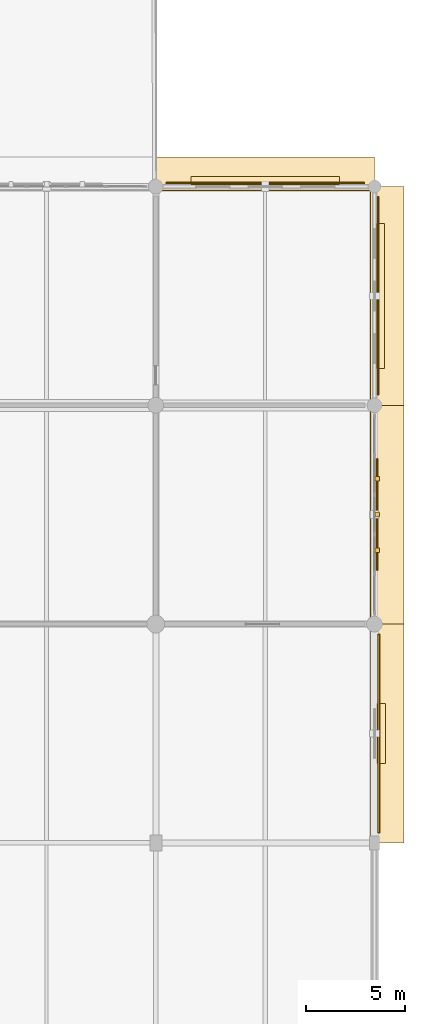
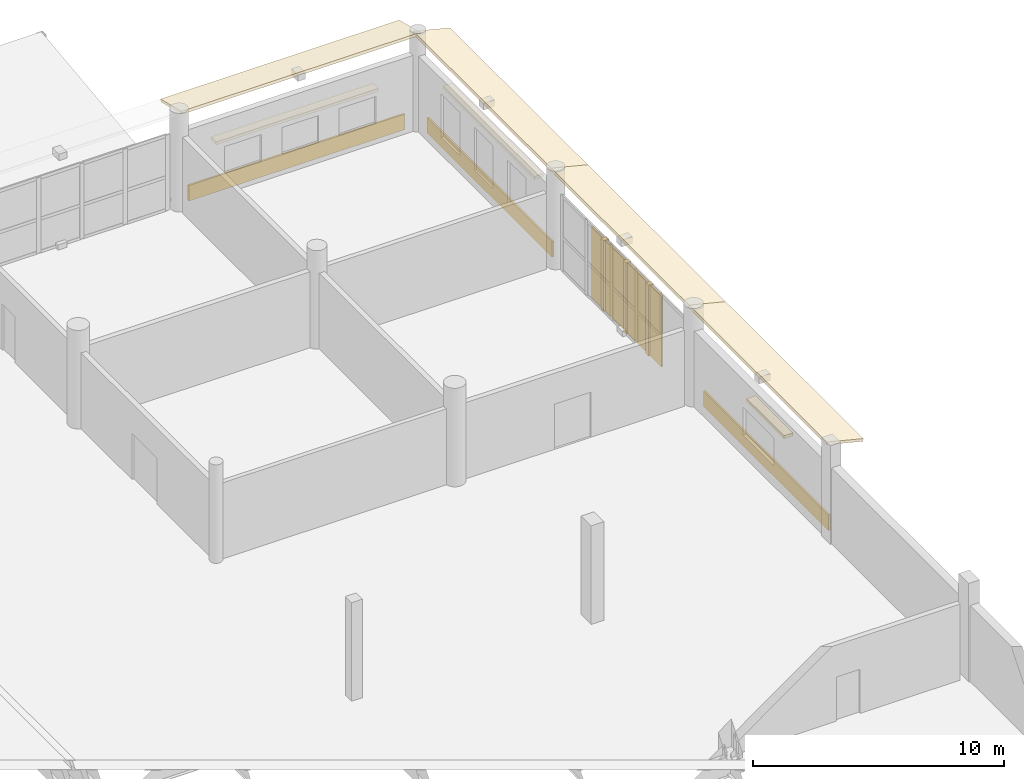
# One storey, part 143 of 143: 13 coverings, 1 shading device.
"""IFC4 building model written with IfcOpenShell, lengths in metres."""

from ifc_helpers import new_model, si_unit, direction, frame, origin, origin_2d, place, context, subcontext, project, spatial, polyline, rectangle, outline, extrude, material, layer, layer_set, type_object, element, save


model = new_model("IFC4")

# Units and contexts
model_context = context("Model", 3, precision=1e-05, world=origin(), true_north=direction((0.0, 1.0)))
body_context = subcontext(model_context, "Body", "Model", "MODEL_VIEW")
ifc_project = project(units=[si_unit("LENGTHUNIT", "METRE"), si_unit("AREAUNIT", "SQUARE_METRE"), si_unit("VOLUMEUNIT", "CUBIC_METRE"), si_unit("PLANEANGLEUNIT", "RADIAN"), si_unit("MASSUNIT", "GRAM", prefix="KILO")], contexts=[model_context])

# Site, building, storey
site_placement = place(None, origin())
site = spatial("IfcSite", under=ifc_project, at=site_placement, CompositionType="ELEMENT")
building_placement = place(site_placement, origin())
building = spatial("IfcBuilding", under=site, at=building_placement, Name="Luwafu Chhajja Arena", CompositionType="ELEMENT")
storey_placement = place(building_placement, frame((0.0, 0.0, 5.39990234375)))
storey = spatial("IfcBuildingStorey", under=building, at=storey_placement, Name="L01", CompositionType="ELEMENT", Elevation=5.39990234375)

# Coverings
ifc_material_1 = material(Name="Red laterite sandstone cladding", Category="masonry")
ifc_layer_1 = layer(ifc_material_1, 0.074951171875, Name="Red laterite sandstone cladding")
ifc_layer_set_1 = layer_set([ifc_layer_1], Name="Red laterite sandstone cladding")
covering_type = type_object("IfcCoveringType", Name="Dressed Red-Laterite Sandstone Cladding", PredefinedType="CLADDING", material=ifc_layer_set_1)
covering_1_placement = place(storey_placement, frame((197.800048828125, 88.0, 4.760009765625), z_axis=(0.242502450825, 0.0, 0.970150793096), x_axis=(0.0, 1.0, 0.0)))
element("IfcCovering", 1, at=covering_1_placement, inside=storey, type_object=covering_type, Name="L01 Continuous Sloped Sandstone Chhajja Eave 0119", PredefinedType="CLADDING", context=body_context, shape_type="SweptSolid", body=[
    extrude(outline(polyline([(0.0, 0.0), (11.0, 0.0), (11.0, -1.731619097341133), (0.0, -1.731619097341133), (0.0, 0.0)])), origin(), (0.0, 0.0, -1.0), 0.1298828125),
])
covering_2_placement = place(storey_placement, frame((198.2119140625, 93.5, 0.0), z_axis=(0.0, 0.0, 1.0), x_axis=(0.0, 1.0, 0.0)))
element("IfcCovering", 2, at=covering_2_placement, inside=storey, type_object=covering_type, Name="L01 Red-Laterite Sandstone Plinth Cladding 036", PredefinedType="CLADDING", context=body_context, shape_type="SweptSolid", body=[
    extrude(rectangle(XDim=9.9599609375, YDim=0.0849609375, at=origin_2d()), origin(), (0.0, 0.0, 1.0), 0.760009765625),
])
covering_3_placement = place(storey_placement, frame((198.340087890625, 93.5, 2.38037109375), z_axis=(0.0, 0.0, 1.0), x_axis=(0.0, 1.0, 0.0)))
element("IfcCovering", 3, at=covering_3_placement, inside=storey, type_object=covering_type, Name="L01 Mughal Sandstone Window Chhajja Hood 0035", PredefinedType="CLADDING", context=body_context, shape_type="SweptSolid", body=[
    extrude(rectangle(XDim=3.0, YDim=0.419921875, at=origin_2d()), origin(), (0.0, 0.0, 1.0), 0.139892578125),
])
covering_4_placement = place(storey_placement, frame((197.800048828125, 99.0, 4.760009765625), z_axis=(0.242502450825, 0.0, 0.970150793096), x_axis=(0.0, 1.0, 0.0)))
element("IfcCovering", 4, at=covering_4_placement, inside=storey, type_object=covering_type, Name="L01 Continuous Sloped Sandstone Chhajja Eave 0120", PredefinedType="CLADDING", context=body_context, shape_type="SweptSolid", body=[
    extrude(outline(polyline([(0.0, 0.0), (11.0, 0.0), (11.0, -1.731619097341133), (0.0, -1.731619097341133), (0.0, 0.0)])), origin(), (0.0, 0.0, -1.0), 0.1298828125),
])
for number, where, z_axis, x_axis, name in (
    (5, (198.1298828125, 102.720458984375, 0.0), (0.0, 0.0, 1.0), (0.0, 1.0, 0.0), "L01 Sandstone Jali Mullion Fin 026"),
    (6, (198.1298828125, 104.512451171875, 0.0), (0.0, 0.0, 1.0), (0.0, 1.0, 0.0), "L01 Sandstone Jali Mullion Fin 026"),
    (7, (198.1298828125, 106.304443359375, 0.0), (0.0, 0.0, 1.0), (0.0, 1.0, 0.0), "L01 Sandstone Jali Mullion Fin 026"),
):
    element("IfcCovering", number, at=place(storey_placement, frame(where, z_axis=z_axis, x_axis=x_axis)), inside=storey, type_object=covering_type, Name=name, PredefinedType="CLADDING", context=body_context, shape_type="SweptSolid", body=[
        extrude(rectangle(XDim=0.219970703125, YDim=0.239990234375, at=origin_2d()), origin(), (0.0, 0.0, 1.0), 3.455078125),
    ])
covering_5_placement = place(storey_placement, frame((187.0, 120.800048828125, 4.760009765625), z_axis=(0.0, 0.242502450825, 0.970150793096), x_axis=(1.0, 0.0, 0.0)))
element("IfcCovering", 8, at=covering_5_placement, inside=storey, type_object=covering_type, Name="L01 Continuous Sloped Sandstone Chhajja Eave 0121", PredefinedType="CLADDING", context=body_context, shape_type="SweptSolid", body=[
    extrude(outline(polyline([(0.0, 0.0), (11.0, 0.0), (11.0, 1.731619097341133), (0.0, 1.731619097341133), (0.0, 0.0)])), origin(), (0.0, 0.0, -1.0), 0.1298828125),
])
covering_6_placement = place(storey_placement, frame((192.5, 121.172119140625, 0.0), z_axis=(0.0, 0.0, 1.0), x_axis=(1.0, 0.0, 0.0)))
element("IfcCovering", 9, at=covering_6_placement, inside=storey, type_object=covering_type, Name="L01 Red-Laterite Sandstone Plinth Cladding 037", PredefinedType="CLADDING", context=body_context, shape_type="SweptSolid", body=[
    extrude(rectangle(XDim=9.9599609375, YDim=0.0849609375, at=origin_2d()), origin(), (0.0, 0.0, 1.0), 0.760009765625),
])
covering_7_placement = place(storey_placement, frame((192.5, 121.300048828125, 2.330078125), z_axis=(0.0, 0.0, 1.0), x_axis=(1.0, 0.0, 0.0)))
element("IfcCovering", 10, at=covering_7_placement, inside=storey, type_object=covering_type, Name="L01 Mughal Sandstone Window Chhajja Hood 0036", PredefinedType="CLADDING", context=body_context, shape_type="SweptSolid", body=[
    extrude(rectangle(XDim=7.47998046875, YDim=0.419921875, at=origin_2d()), origin(), (0.0, 0.0, 1.0), 0.139892578125),
])
covering_8_placement = place(storey_placement, frame((197.800048828125, 110.0, 4.760009765625), z_axis=(0.242502450825, 0.0, 0.970150793096), x_axis=(0.0, 1.0, 0.0)))
element("IfcCovering", 11, at=covering_8_placement, inside=storey, type_object=covering_type, Name="L01 Continuous Sloped Sandstone Chhajja Eave 0122", PredefinedType="CLADDING", context=body_context, shape_type="SweptSolid", body=[
    extrude(outline(polyline([(0.0, 0.0), (11.0, 0.0), (11.0, -1.731619097341133), (0.0, -1.731619097341133), (0.0, 0.0)])), origin(), (0.0, 0.0, -1.0), 0.1298828125),
])
covering_9_placement = place(storey_placement, frame((198.172119140625, 115.5, 0.0), z_axis=(0.0, 0.0, 1.0), x_axis=(0.0, 1.0, 0.0)))
element("IfcCovering", 12, at=covering_9_placement, inside=storey, type_object=covering_type, Name="L01 Red-Laterite Sandstone Plinth Cladding 038", PredefinedType="CLADDING", context=body_context, shape_type="SweptSolid", body=[
    extrude(rectangle(XDim=9.9599609375, YDim=0.0849609375, at=origin_2d()), origin(), (0.0, 0.0, 1.0), 0.760009765625),
])
covering_10_placement = place(storey_placement, frame((198.300048828125, 115.5, 2.97998046875), z_axis=(0.0, 0.0, 1.0), x_axis=(0.0, 1.0, 0.0)))
element("IfcCovering", 13, at=covering_10_placement, inside=storey, type_object=covering_type, Name="L01 Mughal Sandstone Window Chhajja Hood 0037", PredefinedType="CLADDING", context=body_context, shape_type="SweptSolid", body=[
    extrude(rectangle(XDim=7.280029296875, YDim=0.419921875, at=origin_2d()), origin(), (0.0, 0.0, 1.0), 0.139892578125),
])

# Shading device
ifc_material_2 = material(Name="Pierced buff sandstone jali", Category="masonry")
ifc_layer_2 = layer(ifc_material_2, 0.080078125, Name="Pierced buff sandstone jali")
ifc_layer_set_2 = layer_set([ifc_layer_2], Name="Pierced buff sandstone jali")
shading_device_type = type_object("IfcShadingDeviceType", Name="Pierced Buff-Sandstone Jali Screen", PredefinedType="JALOUSIE", material=ifc_layer_set_2)
shading_device_placement = place(storey_placement, frame((198.1298828125, 104.512451171875, 0.0), z_axis=(0.0, 0.0, 1.0), x_axis=(0.0, 1.0, 0.0)))
element("IfcShadingDevice", 14, at=shading_device_placement, inside=storey, type_object=shading_device_type, Name="L01 Pierced Buff-Sandstone Jali Screen 026", PredefinedType="JALOUSIE", context=body_context, shape_type="SweptSolid", body=[
    extrude(rectangle(XDim=5.60009765625, YDim=0.080078125, at=origin_2d()), origin(), (0.0, 0.0, 1.0), 3.455078125),
])

save(model, "model.ifc")
